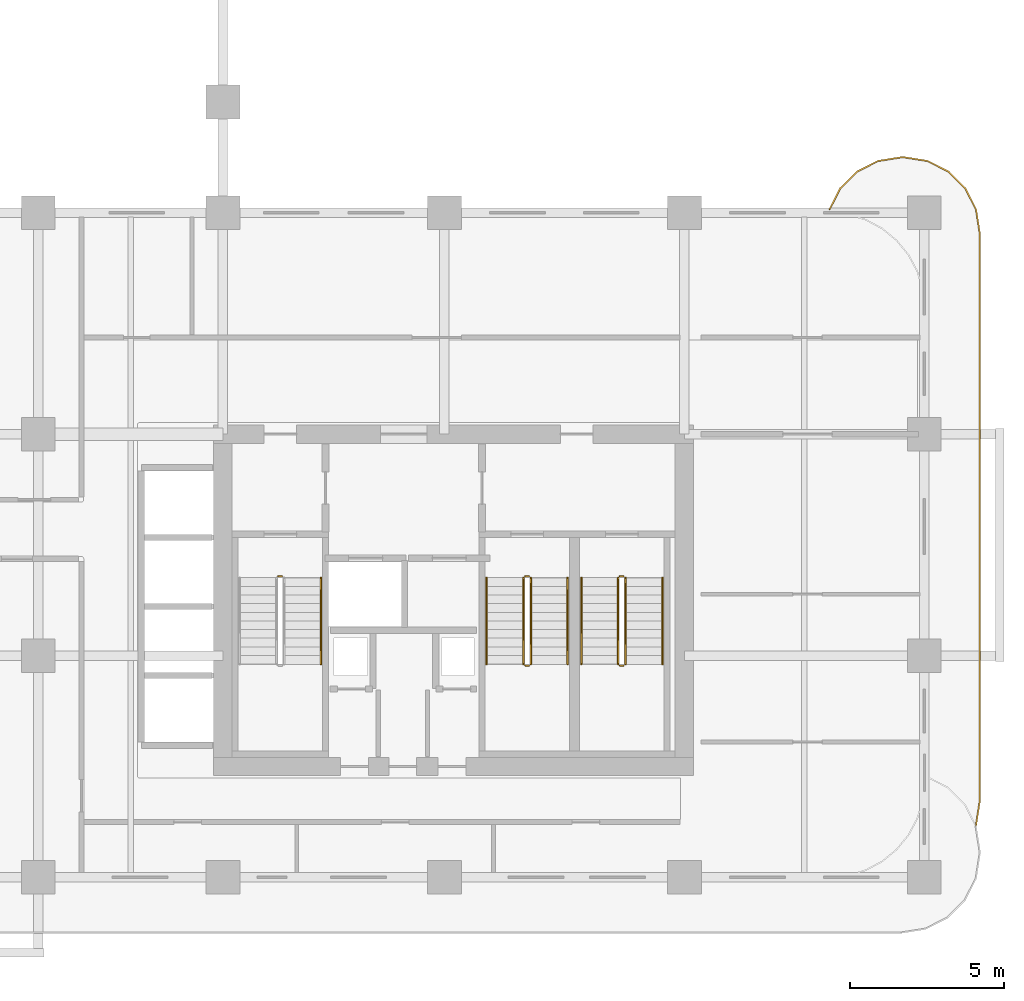
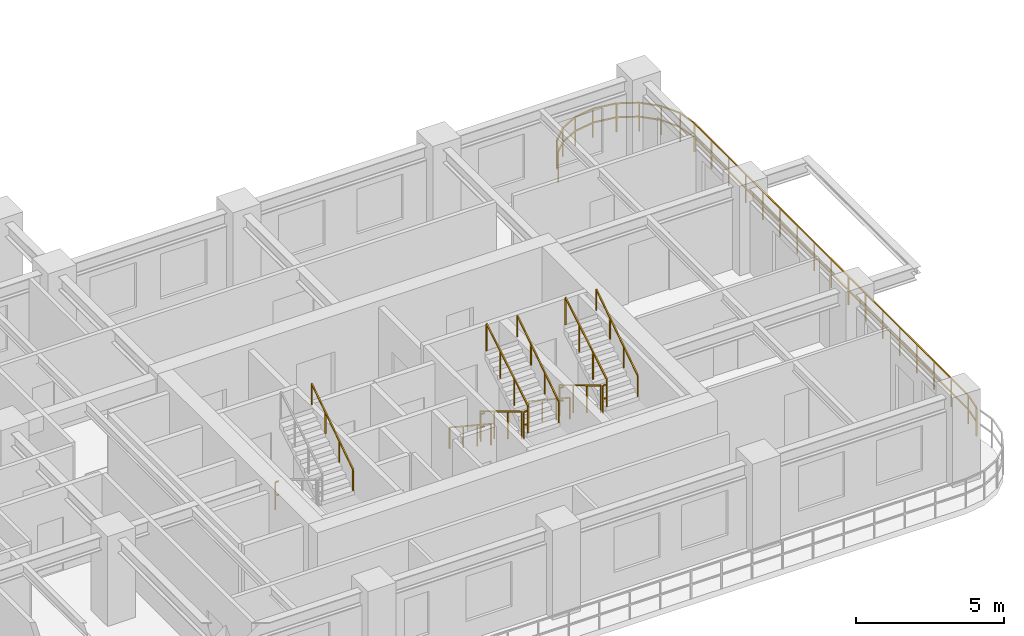
# One storey, part 16 of 18: 15 railings.
"""IFC4 building model written with IfcOpenShell, lengths in metres."""

from ifc_helpers import new_model, si_unit, derived_unit, direction, frame, origin, origin_2d, place, context, subcontext, project, spatial, rectangle, extrude, material, type_object, element, save


model = new_model("IFC4")

# Units and contexts
model_context = context("Model", 3, precision=1e-05, world=origin(), true_north=direction((0.0, 1.0)))
body_context = subcontext(model_context, "Body", "Model", "MODEL_VIEW")
ifc_project = project(units=[si_unit("LENGTHUNIT", "METRE"), si_unit("AREAUNIT", "SQUARE_METRE"), si_unit("VOLUMEUNIT", "CUBIC_METRE"), si_unit("PLANEANGLEUNIT", "RADIAN"), si_unit("MASSUNIT", "GRAM", prefix="KILO"), si_unit("THERMODYNAMICTEMPERATUREUNIT", "KELVIN"), si_unit("POWERUNIT", "WATT"), derived_unit("THERMALTRANSMITTANCEUNIT", [(si_unit("POWERUNIT", "WATT"), 1), (si_unit("AREAUNIT", "SQUARE_METRE"), -1), (si_unit("THERMODYNAMICTEMPERATUREUNIT", "KELVIN"), -1)])], contexts=[model_context])

# Site, building, storey
site_placement = place(None, origin())
site = spatial("IfcSite", under=ifc_project, at=site_placement, CompositionType="ELEMENT")
building_placement = place(site_placement, origin())
building = spatial("IfcBuilding", under=site, at=building_placement, Name="Zahravan Archway Hotel and Residences", CompositionType="ELEMENT")
storey_placement = place(building_placement, frame((0.0, 0.0, 50.89990234375)))
storey = spatial("IfcBuildingStorey", under=building, at=storey_placement, Name="L11", CompositionType="ELEMENT", Elevation=50.89990234375)

# Railings
ifc_material_1 = material(Name="Bronze & Laminated Glass Balustrade", Category="glass")
railing_type_1 = type_object("IfcRailingType", Name="RL-BAL-1200", PredefinedType="BALUSTRADE", material=ifc_material_1)
railing_1_placement = place(storey_placement, frame((54.52001953125, 21.70703125, 0.0)))
element("IfcRailing", 1, at=railing_1_placement, inside=storey, type_object=railing_type_1, Name="L11 Balustrade RL-SLB-BAL-L11-EA-1", PredefinedType="BALUSTRADE", context=body_context, shape_type="SweptSolid", body=[
    extrude(rectangle(XDim=0.048095703125, YDim=0.048095703125, at=origin_2d()), frame((0.0, 0.0, 1.17578125), z_axis=(0.453825591531, 0.891090529897, 0.0), x_axis=(-0.891090529897, 0.453825591531, 0.0)), (0.0, 0.0, 1.0), 0.7666015625),
    extrude(rectangle(XDim=0.048095703125, YDim=0.048095703125, at=origin_2d()), frame((0.0, 0.0, 0.60009765625), z_axis=(0.453825591531, 0.891090529897, 0.0), x_axis=(-0.891090529897, 0.453825591531, 0.0)), (0.0, 0.0, 1.0), 0.7666015625),
    extrude(rectangle(XDim=0.048095703125, YDim=0.048095703125, at=origin_2d()), frame((0.347900390625, 0.68310546875, 1.17578125), z_axis=(0.707106781187, 0.707106781187, 0.0), x_axis=(-0.707106781187, 0.707106781187, 0.0)), (0.0, 0.0, 1.0), 0.7666015625),
    extrude(rectangle(XDim=0.048095703125, YDim=0.048095703125, at=origin_2d()), frame((0.347900390625, 0.68310546875, 0.60009765625), z_axis=(0.707106781187, 0.707106781187, 0.0), x_axis=(-0.707106781187, 0.707106781187, 0.0)), (0.0, 0.0, 1.0), 0.7666015625),
    extrude(rectangle(XDim=0.048095703125, YDim=0.048095703125, at=origin_2d()), frame((0.889892578125, 1.22509765625, 1.17578125), z_axis=(0.891090529897, 0.453825591531, 0.0), x_axis=(-0.453825591531, 0.891090529897, 0.0)), (0.0, 0.0, 1.0), 0.7666015625),
    extrude(rectangle(XDim=0.048095703125, YDim=0.048095703125, at=origin_2d()), frame((0.889892578125, 1.22509765625, 0.60009765625), z_axis=(0.891090529897, 0.453825591531, 0.0), x_axis=(-0.453825591531, 0.891090529897, 0.0)), (0.0, 0.0, 1.0), 0.7666015625),
    extrude(rectangle(XDim=0.048095703125, YDim=0.048095703125, at=origin_2d()), frame((1.572998046875, 1.572998046875, 1.17578125), z_axis=(0.987695728695, 0.156387811283, 0.0), x_axis=(-0.156387811283, 0.987695728695, 0.0)), (0.0, 0.0, 1.0), 0.7666015625),
    extrude(rectangle(XDim=0.048095703125, YDim=0.048095703125, at=origin_2d()), frame((1.572998046875, 1.572998046875, 0.60009765625), z_axis=(0.987695728695, 0.156387811283, 0.0), x_axis=(-0.156387811283, 0.987695728695, 0.0)), (0.0, 0.0, 1.0), 0.7666015625),
    extrude(rectangle(XDim=0.048095703125, YDim=0.048095703125, at=origin_2d()), frame((2.330078125, 1.69287109375, 1.17578125), z_axis=(1.0, 0.0, 0.0), x_axis=(0.0, 1.0, 0.0)), (0.0, 0.0, 1.0), 0.099853515625),
    extrude(rectangle(XDim=0.048095703125, YDim=0.048095703125, at=origin_2d()), frame((2.330078125, 1.69287109375, 0.60009765625), z_axis=(1.0, 0.0, 0.0), x_axis=(0.0, 1.0, 0.0)), (0.0, 0.0, 1.0), 0.099853515625),
    extrude(rectangle(XDim=0.048095703125, YDim=0.048095703125, at=origin_2d()), frame((2.429931640625, 1.69287109375, 1.17578125), z_axis=(0.987695728695, -0.156387811283, 0.0), x_axis=(0.156387811283, 0.987695728695, 0.0)), (0.0, 0.0, 1.0), 0.7666015625),
    extrude(rectangle(XDim=0.048095703125, YDim=0.048095703125, at=origin_2d()), frame((2.429931640625, 1.69287109375, 0.60009765625), z_axis=(0.987695728695, -0.156387811283, 0.0), x_axis=(0.156387811283, 0.987695728695, 0.0)), (0.0, 0.0, 1.0), 0.7666015625),
    extrude(rectangle(XDim=0.048095703125, YDim=0.048095703125, at=origin_2d()), frame((3.18701171875, 1.572998046875, 1.17578125), z_axis=(0.891090529897, -0.453825591531, 0.0), x_axis=(0.453825591531, 0.891090529897, 0.0)), (0.0, 0.0, 1.0), 0.7666015625),
    extrude(rectangle(XDim=0.048095703125, YDim=0.048095703125, at=origin_2d()), frame((3.18701171875, 1.572998046875, 0.60009765625), z_axis=(0.891090529897, -0.453825591531, 0.0), x_axis=(0.453825591531, 0.891090529897, 0.0)), (0.0, 0.0, 1.0), 0.7666015625),
    extrude(rectangle(XDim=0.048095703125, YDim=0.048095703125, at=origin_2d()), frame((3.8701171875, 1.22509765625, 1.17578125), z_axis=(0.707106781187, -0.707106781187, 0.0), x_axis=(0.707106781187, 0.707106781187, 0.0)), (0.0, 0.0, 1.0), 0.7666015625),
    extrude(rectangle(XDim=0.048095703125, YDim=0.048095703125, at=origin_2d()), frame((3.8701171875, 1.22509765625, 0.60009765625), z_axis=(0.707106781187, -0.707106781187, 0.0), x_axis=(0.707106781187, 0.707106781187, 0.0)), (0.0, 0.0, 1.0), 0.7666015625),
    extrude(rectangle(XDim=0.048095703125, YDim=0.048095703125, at=origin_2d()), frame((4.412109375, 0.68310546875, 1.17578125), z_axis=(0.453825591531, -0.891090529897, 0.0), x_axis=(0.891090529897, 0.453825591531, 0.0)), (0.0, 0.0, 1.0), 0.7666015625),
    extrude(rectangle(XDim=0.048095703125, YDim=0.048095703125, at=origin_2d()), frame((4.412109375, 0.68310546875, 0.60009765625), z_axis=(0.453825591531, -0.891090529897, 0.0), x_axis=(0.891090529897, 0.453825591531, 0.0)), (0.0, 0.0, 1.0), 0.7666015625),
    extrude(rectangle(XDim=0.048095703125, YDim=0.048095703125, at=origin_2d()), frame((4.760009765625, 0.0, 1.17578125), z_axis=(0.156387811283, -0.987695728695, 0.0), x_axis=(0.987695728695, 0.156387811283, 0.0)), (0.0, 0.0, 1.0), 0.7666015625),
    extrude(rectangle(XDim=0.048095703125, YDim=0.048095703125, at=origin_2d()), frame((4.760009765625, 0.0, 0.60009765625), z_axis=(0.156387811283, -0.987695728695, 0.0), x_axis=(0.987695728695, 0.156387811283, 0.0)), (0.0, 0.0, 1.0), 0.7666015625),
    extrude(rectangle(XDim=0.048095703125, YDim=0.048095703125, at=origin_2d()), frame((4.8798828125, -0.757080078125, 1.17578125), z_axis=(0.0, -1.0, 0.0), x_axis=(1.0, 0.0, 0.0)), (0.0, 0.0, 1.0), 18.5),
    extrude(rectangle(XDim=0.048095703125, YDim=0.048095703125, at=origin_2d()), frame((4.8798828125, -0.757080078125, 0.60009765625), z_axis=(0.0, -1.0, 0.0), x_axis=(1.0, 0.0, 0.0)), (0.0, 0.0, 1.0), 18.5),
    extrude(rectangle(XDim=0.048095703125, YDim=0.048095703125, at=origin_2d()), frame((4.8798828125, -19.257080078125, 1.17578125), z_axis=(-0.156387811283, -0.987695728695, 0.0), x_axis=(0.987695728695, -0.156387811283, 0.0)), (0.0, 0.0, 1.0), 0.7666015625),
    extrude(rectangle(XDim=0.048095703125, YDim=0.048095703125, at=origin_2d()), frame((4.8798828125, -19.257080078125, 0.60009765625), z_axis=(-0.156387811283, -0.987695728695, 0.0), x_axis=(0.987695728695, -0.156387811283, 0.0)), (0.0, 0.0, 1.0), 0.7666015625),
    extrude(rectangle(XDim=0.0419921875, YDim=0.0419921875, at=origin_2d()), origin(), (0.0, 0.0, 1.0), 1.15185546875),
    extrude(rectangle(XDim=0.0419921875, YDim=0.0419921875, at=origin_2d()), frame((0.347900390625, 0.68310546875, 0.0)), (0.0, 0.0, 1.0), 1.15185546875),
    extrude(rectangle(XDim=0.0419921875, YDim=0.0419921875, at=origin_2d()), frame((0.889892578125, 1.22509765625, 0.0)), (0.0, 0.0, 1.0), 1.15185546875),
    extrude(rectangle(XDim=0.0419921875, YDim=0.0419921875, at=origin_2d()), frame((1.572998046875, 1.572998046875, 0.0)), (0.0, 0.0, 1.0), 1.15185546875),
    extrude(rectangle(XDim=0.0419921875, YDim=0.0419921875, at=origin_2d()), frame((2.330078125, 1.69287109375, 0.0)), (0.0, 0.0, 1.0), 1.15185546875),
    extrude(rectangle(XDim=0.0419921875, YDim=0.0419921875, at=origin_2d()), frame((3.18701171875, 1.572998046875, 0.0)), (0.0, 0.0, 1.0), 1.15185546875),
    extrude(rectangle(XDim=0.0419921875, YDim=0.0419921875, at=origin_2d()), frame((3.8701171875, 1.22509765625, 0.0)), (0.0, 0.0, 1.0), 1.15185546875),
    extrude(rectangle(XDim=0.0419921875, YDim=0.0419921875, at=origin_2d()), frame((4.412109375, 0.68310546875, 0.0)), (0.0, 0.0, 1.0), 1.15185546875),
    extrude(rectangle(XDim=0.0419921875, YDim=0.0419921875, at=origin_2d()), frame((4.760009765625, 0.0, 0.0)), (0.0, 0.0, 1.0), 1.15185546875),
    extrude(rectangle(XDim=0.0419921875, YDim=0.0419921875, at=origin_2d()), frame((4.8798828125, -0.757080078125, 0.0)), (0.0, 0.0, 1.0), 1.15185546875),
    extrude(rectangle(XDim=0.0419921875, YDim=0.0419921875, at=origin_2d()), frame((4.8798828125, -1.913330078125, 0.0)), (0.0, 0.0, 1.0), 1.15185546875),
    extrude(rectangle(XDim=0.0419921875, YDim=0.0419921875, at=origin_2d()), frame((4.8798828125, -3.069580078125, 0.0)), (0.0, 0.0, 1.0), 1.15185546875),
    extrude(rectangle(XDim=0.0419921875, YDim=0.0419921875, at=origin_2d()), frame((4.8798828125, -4.225830078125, 0.0)), (0.0, 0.0, 1.0), 1.15185546875),
    extrude(rectangle(XDim=0.0419921875, YDim=0.0419921875, at=origin_2d()), frame((4.8798828125, -5.382080078125, 0.0)), (0.0, 0.0, 1.0), 1.15185546875),
    extrude(rectangle(XDim=0.0419921875, YDim=0.0419921875, at=origin_2d()), frame((4.8798828125, -6.538330078125, 0.0)), (0.0, 0.0, 1.0), 1.15185546875),
    extrude(rectangle(XDim=0.0419921875, YDim=0.0419921875, at=origin_2d()), frame((4.8798828125, -7.694580078125, 0.0)), (0.0, 0.0, 1.0), 1.15185546875),
    extrude(rectangle(XDim=0.0419921875, YDim=0.0419921875, at=origin_2d()), frame((4.8798828125, -8.850830078125, 0.0)), (0.0, 0.0, 1.0), 1.15185546875),
    extrude(rectangle(XDim=0.0419921875, YDim=0.0419921875, at=origin_2d()), frame((4.8798828125, -10.007080078125, 0.0)), (0.0, 0.0, 1.0), 1.15185546875),
    extrude(rectangle(XDim=0.0419921875, YDim=0.0419921875, at=origin_2d()), frame((4.8798828125, -11.163330078125, 0.0)), (0.0, 0.0, 1.0), 1.15185546875),
    extrude(rectangle(XDim=0.0419921875, YDim=0.0419921875, at=origin_2d()), frame((4.8798828125, -12.319580078125, 0.0)), (0.0, 0.0, 1.0), 1.15185546875),
    extrude(rectangle(XDim=0.0419921875, YDim=0.0419921875, at=origin_2d()), frame((4.8798828125, -13.475830078125, 0.0)), (0.0, 0.0, 1.0), 1.15185546875),
    extrude(rectangle(XDim=0.0419921875, YDim=0.0419921875, at=origin_2d()), frame((4.8798828125, -14.632080078125, 0.0)), (0.0, 0.0, 1.0), 1.15185546875),
    extrude(rectangle(XDim=0.0419921875, YDim=0.0419921875, at=origin_2d()), frame((4.8798828125, -15.788330078125, 0.0)), (0.0, 0.0, 1.0), 1.15185546875),
    extrude(rectangle(XDim=0.0419921875, YDim=0.0419921875, at=origin_2d()), frame((4.8798828125, -16.944580078125, 0.0)), (0.0, 0.0, 1.0), 1.15185546875),
    extrude(rectangle(XDim=0.0419921875, YDim=0.0419921875, at=origin_2d()), frame((4.8798828125, -18.100830078125, 0.0)), (0.0, 0.0, 1.0), 1.15185546875),
    extrude(rectangle(XDim=0.0419921875, YDim=0.0419921875, at=origin_2d()), frame((4.8798828125, -19.257080078125, 0.0)), (0.0, 0.0, 1.0), 1.15185546875),
    extrude(rectangle(XDim=0.0419921875, YDim=0.0419921875, at=origin_2d()), frame((4.760009765625, -20.01416015625, 0.0)), (0.0, 0.0, 1.0), 1.15185546875),
])
ifc_material_2 = material(Name="Painted Tubular Steel", Category="steel")
railing_type_2 = type_object("IfcRailingType", Name="RL-STG-1150", PredefinedType="GUARDRAIL", material=ifc_material_2)
railing_2_placement = place(storey_placement, frame((36.60009765625, 9.780029296875, 0.0)))
element("IfcRailing", 2, at=railing_2_placement, inside=storey, type_object=railing_type_2, Name="L11 ST-A1 stair guard 4", PredefinedType="GUARDRAIL", context=body_context, shape_type="SweptSolid", body=[
    extrude(rectangle(XDim=0.048095703125, YDim=0.048095703125, at=origin_2d()), frame((0.0, 0.0, 1.1259765625), z_axis=(1.0, 0.0, 0.0), x_axis=(0.0, 1.0, 0.0)), (0.0, 0.0, 1.0), 0.139892578125),
    extrude(rectangle(XDim=0.048095703125, YDim=0.048095703125, at=origin_2d()), frame((0.0, 0.0, 0.574951171875), z_axis=(1.0, 0.0, 0.0), x_axis=(0.0, 1.0, 0.0)), (0.0, 0.0, 1.0), 0.139892578125),
    extrude(rectangle(XDim=0.0419921875, YDim=0.0419921875, at=origin_2d()), origin(), (0.0, 0.0, 1.0), 1.101806640625),
])
railing_3_placement = place(storey_placement, frame((44.570068359375, 9.72998046875, 0.168212890625)))
element("IfcRailing", 3, at=railing_3_placement, inside=storey, type_object=railing_type_2, Name="L11 ST-A2 stair guard 1", PredefinedType="GUARDRAIL", context=body_context, shape_type="SweptSolid", body=[
    extrude(rectangle(XDim=0.048095703125, YDim=0.048095703125, at=origin_2d()), frame((0.0, 0.0, 1.1259765625), z_axis=(0.0, -0.857242210791, 0.514913383045), x_axis=(1.0, 0.0, 0.0)), (0.0, 0.0, 1.0), 3.266357421875),
    extrude(rectangle(XDim=0.0419921875, YDim=0.0419921875, at=origin_2d()), origin(), (0.0, 0.0, 1.0), 1.101806640625),
    extrude(rectangle(XDim=0.0419921875, YDim=0.0419921875, at=origin_2d()), frame((0.0, -0.933349609375, 0.560546875)), (0.0, 0.0, 1.0), 1.101806640625),
    extrude(rectangle(XDim=0.0419921875, YDim=0.0419921875, at=origin_2d()), frame((0.0, -1.86669921875, 1.121337890625)), (0.0, 0.0, 1.0), 1.101806640625),
    extrude(rectangle(XDim=0.0419921875, YDim=0.0419921875, at=origin_2d()), frame((0.0, -2.800048828125, 1.681884765625)), (0.0, 0.0, 1.0), 1.101806640625),
])
railing_4_placement = place(storey_placement, frame((44.6201171875, 6.8798828125, 1.85009765625)))
element("IfcRailing", 4, at=railing_4_placement, inside=storey, type_object=railing_type_2, Name="L11 ST-A2 stair guard 2", PredefinedType="GUARDRAIL", context=body_context, shape_type="SweptSolid", body=[
    extrude(rectangle(XDim=0.048095703125, YDim=0.048095703125, at=origin_2d()), frame((0.0, 0.0, 1.1259765625), z_axis=(1.0, 0.0, 0.0), x_axis=(0.0, 1.0, 0.0)), (0.0, 0.0, 1.0), 0.139892578125),
    extrude(rectangle(XDim=0.048095703125, YDim=0.048095703125, at=origin_2d()), frame((0.0, 0.0, 0.574951171875), z_axis=(1.0, 0.0, 0.0), x_axis=(0.0, 1.0, 0.0)), (0.0, 0.0, 1.0), 0.139892578125),
    extrude(rectangle(XDim=0.0419921875, YDim=0.0419921875, at=origin_2d()), origin(), (0.0, 0.0, 1.0), 1.101806640625),
])
railing_5_placement = place(storey_placement, frame((44.81005859375, 6.929931640625, 2.018310546875)))
element("IfcRailing", 5, at=railing_5_placement, inside=storey, type_object=railing_type_2, Name="L11 ST-A2 stair guard 3", PredefinedType="GUARDRAIL", context=body_context, shape_type="SweptSolid", body=[
    extrude(rectangle(XDim=0.048095703125, YDim=0.048095703125, at=origin_2d()), frame((0.0, 0.0, 1.1259765625), z_axis=(0.0, 0.857242210791, 0.514913383045), x_axis=(-1.0, 0.0, 0.0)), (0.0, 0.0, 1.0), 3.266357421875),
    extrude(rectangle(XDim=0.0419921875, YDim=0.0419921875, at=origin_2d()), origin(), (0.0, 0.0, 1.0), 1.101806640625),
    extrude(rectangle(XDim=0.0419921875, YDim=0.0419921875, at=origin_2d()), frame((0.0, 0.933349609375, 0.560546875)), (0.0, 0.0, 1.0), 1.101806640625),
    extrude(rectangle(XDim=0.0419921875, YDim=0.0419921875, at=origin_2d()), frame((0.0, 1.86669921875, 1.121337890625)), (0.0, 0.0, 1.0), 1.101806640625),
    extrude(rectangle(XDim=0.0419921875, YDim=0.0419921875, at=origin_2d()), frame((0.0, 2.800048828125, 1.681884765625)), (0.0, 0.0, 1.0), 1.101806640625),
])
railing_6_placement = place(storey_placement, frame((44.6201171875, 9.780029296875, 0.0)))
element("IfcRailing", 6, at=railing_6_placement, inside=storey, type_object=railing_type_2, Name="L11 ST-A2 stair guard 4", PredefinedType="GUARDRAIL", context=body_context, shape_type="SweptSolid", body=[
    extrude(rectangle(XDim=0.048095703125, YDim=0.048095703125, at=origin_2d()), frame((0.0, 0.0, 1.1259765625), z_axis=(1.0, 0.0, 0.0), x_axis=(0.0, 1.0, 0.0)), (0.0, 0.0, 1.0), 0.139892578125),
    extrude(rectangle(XDim=0.048095703125, YDim=0.048095703125, at=origin_2d()), frame((0.0, 0.0, 0.574951171875), z_axis=(1.0, 0.0, 0.0), x_axis=(0.0, 1.0, 0.0)), (0.0, 0.0, 1.0), 0.139892578125),
    extrude(rectangle(XDim=0.0419921875, YDim=0.0419921875, at=origin_2d()), origin(), (0.0, 0.0, 1.0), 1.101806640625),
])
railing_7_placement = place(storey_placement, frame((47.64990234375, 9.72998046875, 0.168212890625)))
element("IfcRailing", 7, at=railing_7_placement, inside=storey, type_object=railing_type_2, Name="L11 ST-A3 stair guard 1", PredefinedType="GUARDRAIL", context=body_context, shape_type="SweptSolid", body=[
    extrude(rectangle(XDim=0.048095703125, YDim=0.048095703125, at=origin_2d()), frame((0.0, 0.0, 1.1259765625), z_axis=(0.0, -0.857242210791, 0.514913383045), x_axis=(1.0, 0.0, 0.0)), (0.0, 0.0, 1.0), 3.266357421875),
    extrude(rectangle(XDim=0.0419921875, YDim=0.0419921875, at=origin_2d()), origin(), (0.0, 0.0, 1.0), 1.101806640625),
    extrude(rectangle(XDim=0.0419921875, YDim=0.0419921875, at=origin_2d()), frame((0.0, -0.933349609375, 0.560546875)), (0.0, 0.0, 1.0), 1.101806640625),
    extrude(rectangle(XDim=0.0419921875, YDim=0.0419921875, at=origin_2d()), frame((0.0, -1.86669921875, 1.121337890625)), (0.0, 0.0, 1.0), 1.101806640625),
    extrude(rectangle(XDim=0.0419921875, YDim=0.0419921875, at=origin_2d()), frame((0.0, -2.800048828125, 1.681884765625)), (0.0, 0.0, 1.0), 1.101806640625),
])
railing_8_placement = place(storey_placement, frame((47.699951171875, 6.8798828125, 1.85009765625)))
element("IfcRailing", 8, at=railing_8_placement, inside=storey, type_object=railing_type_2, Name="L11 ST-A3 stair guard 2", PredefinedType="GUARDRAIL", context=body_context, shape_type="SweptSolid", body=[
    extrude(rectangle(XDim=0.048095703125, YDim=0.048095703125, at=origin_2d()), frame((0.0, 0.0, 1.1259765625), z_axis=(1.0, 0.0, 0.0), x_axis=(0.0, 1.0, 0.0)), (0.0, 0.0, 1.0), 0.14013671875),
    extrude(rectangle(XDim=0.048095703125, YDim=0.048095703125, at=origin_2d()), frame((0.0, 0.0, 0.574951171875), z_axis=(1.0, 0.0, 0.0), x_axis=(0.0, 1.0, 0.0)), (0.0, 0.0, 1.0), 0.14013671875),
    extrude(rectangle(XDim=0.0419921875, YDim=0.0419921875, at=origin_2d()), origin(), (0.0, 0.0, 1.0), 1.101806640625),
])
railing_9_placement = place(storey_placement, frame((47.889892578125, 6.929931640625, 2.018310546875)))
element("IfcRailing", 9, at=railing_9_placement, inside=storey, type_object=railing_type_2, Name="L11 ST-A3 stair guard 3", PredefinedType="GUARDRAIL", context=body_context, shape_type="SweptSolid", body=[
    extrude(rectangle(XDim=0.048095703125, YDim=0.048095703125, at=origin_2d()), frame((0.0, 0.0, 1.1259765625), z_axis=(0.0, 0.857242210791, 0.514913383045), x_axis=(-1.0, 0.0, 0.0)), (0.0, 0.0, 1.0), 3.266357421875),
    extrude(rectangle(XDim=0.0419921875, YDim=0.0419921875, at=origin_2d()), origin(), (0.0, 0.0, 1.0), 1.101806640625),
    extrude(rectangle(XDim=0.0419921875, YDim=0.0419921875, at=origin_2d()), frame((0.0, 0.933349609375, 0.560546875)), (0.0, 0.0, 1.0), 1.101806640625),
    extrude(rectangle(XDim=0.0419921875, YDim=0.0419921875, at=origin_2d()), frame((0.0, 1.86669921875, 1.121337890625)), (0.0, 0.0, 1.0), 1.101806640625),
    extrude(rectangle(XDim=0.0419921875, YDim=0.0419921875, at=origin_2d()), frame((0.0, 2.800048828125, 1.681884765625)), (0.0, 0.0, 1.0), 1.101806640625),
])
railing_10_placement = place(storey_placement, frame((47.699951171875, 9.780029296875, 0.0)))
element("IfcRailing", 10, at=railing_10_placement, inside=storey, type_object=railing_type_2, Name="L11 ST-A3 stair guard 4", PredefinedType="GUARDRAIL", context=body_context, shape_type="SweptSolid", body=[
    extrude(rectangle(XDim=0.048095703125, YDim=0.048095703125, at=origin_2d()), frame((0.0, 0.0, 1.1259765625), z_axis=(1.0, 0.0, 0.0), x_axis=(0.0, 1.0, 0.0)), (0.0, 0.0, 1.0), 0.14013671875),
    extrude(rectangle(XDim=0.048095703125, YDim=0.048095703125, at=origin_2d()), frame((0.0, 0.0, 0.574951171875), z_axis=(1.0, 0.0, 0.0), x_axis=(0.0, 1.0, 0.0)), (0.0, 0.0, 1.0), 0.14013671875),
    extrude(rectangle(XDim=0.0419921875, YDim=0.0419921875, at=origin_2d()), origin(), (0.0, 0.0, 1.0), 1.101806640625),
])
ifc_material_3 = material(Name="Brushed Stainless Steel", Category="steel")
railing_type_3 = type_object("IfcRailingType", Name="RL-STH-900", PredefinedType="HANDRAIL", material=ifc_material_3)
railing_11_placement = place(storey_placement, frame((37.989990234375, 6.929931640625, 2.018310546875)))
element("IfcRailing", 11, at=railing_11_placement, inside=storey, type_object=railing_type_3, Name="L11 ST-A1 stair handrail 2", PredefinedType="HANDRAIL", context=body_context, shape_type="SweptSolid", body=[
    extrude(rectangle(XDim=0.048095703125, YDim=0.048095703125, at=origin_2d()), frame((0.0, 0.0, 0.8759765625), z_axis=(0.0, 0.83435981716, 0.551220187865), x_axis=(-1.0, 0.0, 0.0)), (0.0, 0.0, 1.0), 3.35595703125),
    extrude(rectangle(XDim=0.0419921875, YDim=0.0419921875, at=origin_2d()), origin(), (0.0, 0.0, 1.0), 0.851806640625),
    extrude(rectangle(XDim=0.0419921875, YDim=0.0419921875, at=origin_2d()), frame((0.0, 0.933349609375, 0.61669921875)), (0.0, 0.0, 1.0), 0.851806640625),
    extrude(rectangle(XDim=0.0419921875, YDim=0.0419921875, at=origin_2d()), frame((0.0, 1.86669921875, 1.233154296875)), (0.0, 0.0, 1.0), 0.851806640625),
    extrude(rectangle(XDim=0.0419921875, YDim=0.0419921875, at=origin_2d()), frame((0.0, 2.800048828125, 1.849853515625)), (0.0, 0.0, 1.0), 0.851806640625),
])
railing_12_placement = place(storey_placement, frame((43.3701171875, 9.72998046875, 0.168212890625)))
element("IfcRailing", 12, at=railing_12_placement, inside=storey, type_object=railing_type_3, Name="L11 ST-A2 stair handrail 1", PredefinedType="HANDRAIL", context=body_context, shape_type="SweptSolid", body=[
    extrude(rectangle(XDim=0.048095703125, YDim=0.048095703125, at=origin_2d()), frame((0.0, 0.0, 0.8759765625), z_axis=(0.0, -0.834326358476, 0.551270829586), x_axis=(1.0, 0.0, 0.0)), (0.0, 0.0, 1.0), 3.35595703125),
    extrude(rectangle(XDim=0.0419921875, YDim=0.0419921875, at=origin_2d()), origin(), (0.0, 0.0, 1.0), 0.851806640625),
    extrude(rectangle(XDim=0.0419921875, YDim=0.0419921875, at=origin_2d()), frame((0.0, -0.933349609375, 0.61669921875)), (0.0, 0.0, 1.0), 0.851806640625),
    extrude(rectangle(XDim=0.0419921875, YDim=0.0419921875, at=origin_2d()), frame((0.0, -1.86669921875, 1.2333984375)), (0.0, 0.0, 1.0), 0.851806640625),
    extrude(rectangle(XDim=0.0419921875, YDim=0.0419921875, at=origin_2d()), frame((0.0, -2.800048828125, 1.85009765625)), (0.0, 0.0, 1.0), 0.851806640625),
])
railing_13_placement = place(storey_placement, frame((46.010009765625, 6.929931640625, 2.018310546875)))
element("IfcRailing", 13, at=railing_13_placement, inside=storey, type_object=railing_type_3, Name="L11 ST-A2 stair handrail 2", PredefinedType="HANDRAIL", context=body_context, shape_type="SweptSolid", body=[
    extrude(rectangle(XDim=0.048095703125, YDim=0.048095703125, at=origin_2d()), frame((0.0, 0.0, 0.8759765625), z_axis=(0.0, 0.83435981716, 0.551220187865), x_axis=(-1.0, 0.0, 0.0)), (0.0, 0.0, 1.0), 3.35595703125),
    extrude(rectangle(XDim=0.0419921875, YDim=0.0419921875, at=origin_2d()), origin(), (0.0, 0.0, 1.0), 0.851806640625),
    extrude(rectangle(XDim=0.0419921875, YDim=0.0419921875, at=origin_2d()), frame((0.0, 0.933349609375, 0.61669921875)), (0.0, 0.0, 1.0), 0.851806640625),
    extrude(rectangle(XDim=0.0419921875, YDim=0.0419921875, at=origin_2d()), frame((0.0, 1.86669921875, 1.233154296875)), (0.0, 0.0, 1.0), 0.851806640625),
    extrude(rectangle(XDim=0.0419921875, YDim=0.0419921875, at=origin_2d()), frame((0.0, 2.800048828125, 1.849853515625)), (0.0, 0.0, 1.0), 0.851806640625),
])
railing_14_placement = place(storey_placement, frame((46.449951171875, 9.72998046875, 0.168212890625)))
element("IfcRailing", 14, at=railing_14_placement, inside=storey, type_object=railing_type_3, Name="L11 ST-A3 stair handrail 1", PredefinedType="HANDRAIL", context=body_context, shape_type="SweptSolid", body=[
    extrude(rectangle(XDim=0.048095703125, YDim=0.048095703125, at=origin_2d()), frame((0.0, 0.0, 0.8759765625), z_axis=(0.0, -0.834326358476, 0.551270829586), x_axis=(1.0, 0.0, 0.0)), (0.0, 0.0, 1.0), 3.35595703125),
    extrude(rectangle(XDim=0.0419921875, YDim=0.0419921875, at=origin_2d()), origin(), (0.0, 0.0, 1.0), 0.851806640625),
    extrude(rectangle(XDim=0.0419921875, YDim=0.0419921875, at=origin_2d()), frame((0.0, -0.933349609375, 0.61669921875)), (0.0, 0.0, 1.0), 0.851806640625),
    extrude(rectangle(XDim=0.0419921875, YDim=0.0419921875, at=origin_2d()), frame((0.0, -1.86669921875, 1.2333984375)), (0.0, 0.0, 1.0), 0.851806640625),
    extrude(rectangle(XDim=0.0419921875, YDim=0.0419921875, at=origin_2d()), frame((0.0, -2.800048828125, 1.85009765625)), (0.0, 0.0, 1.0), 0.851806640625),
])
railing_15_placement = place(storey_placement, frame((49.090087890625, 6.929931640625, 2.018310546875)))
element("IfcRailing", 15, at=railing_15_placement, inside=storey, type_object=railing_type_3, Name="L11 ST-A3 stair handrail 2", PredefinedType="HANDRAIL", context=body_context, shape_type="SweptSolid", body=[
    extrude(rectangle(XDim=0.048095703125, YDim=0.048095703125, at=origin_2d()), frame((0.0, 0.0, 0.8759765625), z_axis=(0.0, 0.83435981716, 0.551220187865), x_axis=(-1.0, 0.0, 0.0)), (0.0, 0.0, 1.0), 3.35595703125),
    extrude(rectangle(XDim=0.0419921875, YDim=0.0419921875, at=origin_2d()), origin(), (0.0, 0.0, 1.0), 0.851806640625),
    extrude(rectangle(XDim=0.0419921875, YDim=0.0419921875, at=origin_2d()), frame((0.0, 0.933349609375, 0.61669921875)), (0.0, 0.0, 1.0), 0.851806640625),
    extrude(rectangle(XDim=0.0419921875, YDim=0.0419921875, at=origin_2d()), frame((0.0, 1.86669921875, 1.233154296875)), (0.0, 0.0, 1.0), 0.851806640625),
    extrude(rectangle(XDim=0.0419921875, YDim=0.0419921875, at=origin_2d()), frame((0.0, 2.800048828125, 1.849853515625)), (0.0, 0.0, 1.0), 0.851806640625),
])

save(model, "model.ifc")
